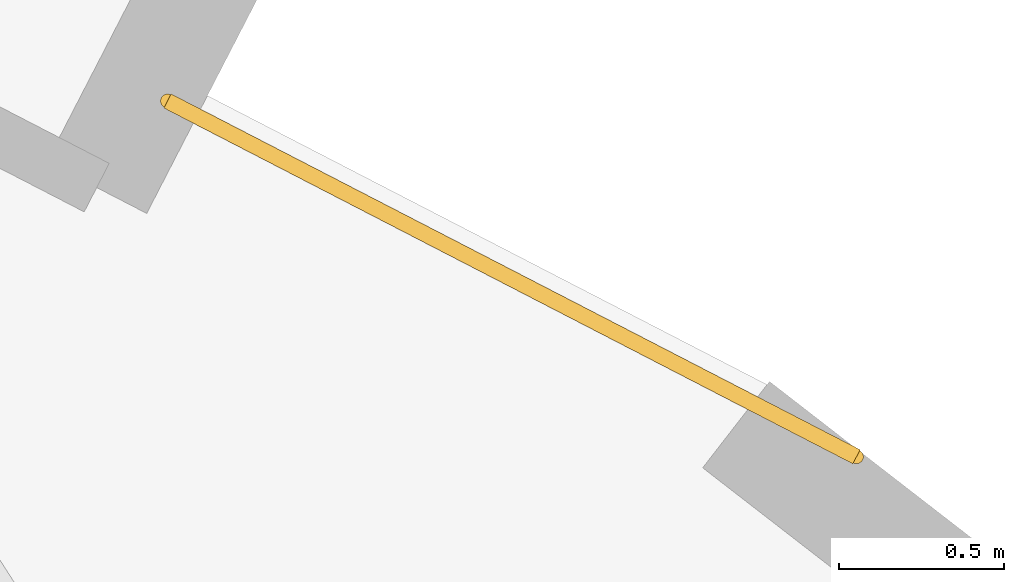
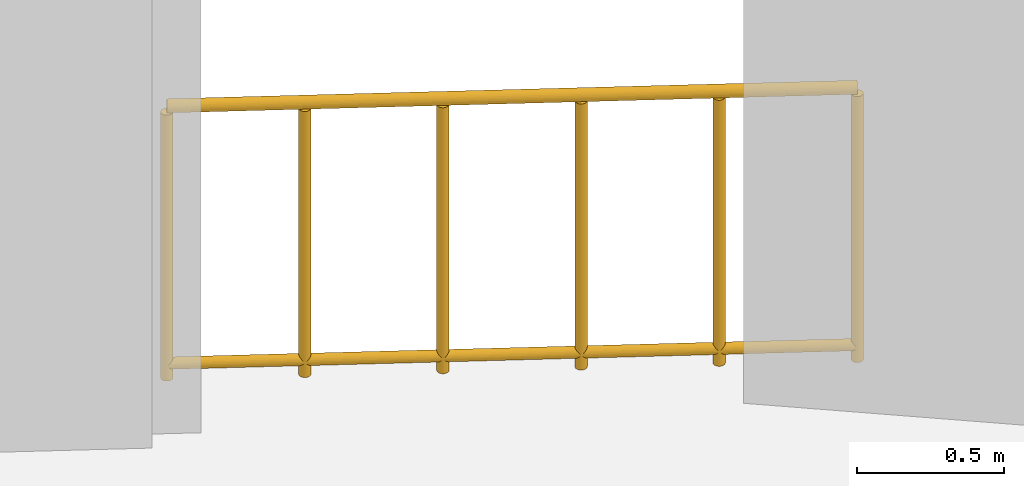
# One storey, part 10 of 10: 1 railing.
"""IFC4 building model written with IfcOpenShell, lengths in metres."""

from ifc_helpers import new_model, si_unit, direction, frame, origin, origin_2d, place, context, subcontext, project, spatial, circle, extrude, material, type_object, element, save


model = new_model("IFC4")

# Units and contexts
model_context = context("Model", 3, precision=1e-05, world=origin(), true_north=direction((0.0, 1.0)))
body_context = subcontext(model_context, "Body", "Model", "MODEL_VIEW")
ifc_project = project(units=[si_unit("LENGTHUNIT", "METRE"), si_unit("AREAUNIT", "SQUARE_METRE"), si_unit("VOLUMEUNIT", "CUBIC_METRE"), si_unit("PLANEANGLEUNIT", "RADIAN"), si_unit("MASSUNIT", "GRAM", prefix="KILO"), si_unit("THERMODYNAMICTEMPERATUREUNIT", "KELVIN"), si_unit("POWERUNIT", "WATT")], contexts=[model_context])

# Site, building, storey
site_placement = place(None, origin())
site = spatial("IfcSite", under=ifc_project, at=site_placement, CompositionType="ELEMENT")
building_placement = place(site_placement, origin())
building = spatial("IfcBuilding", under=site, at=building_placement, Name="Skarre Station Tower", CompositionType="ELEMENT")
storey_placement = place(building_placement, frame((0.0, 0.0, 111.89990234375)))
storey = spatial("IfcBuildingStorey", under=building, at=storey_placement, Name="L29", CompositionType="ELEMENT", Elevation=111.89990234375)

# Railing
ifc_material = material(Name="Stainless Steel Grade 316L & Laminated Safety Glass", Category="steel")
railing_type = type_object("IfcRailingType", Name="Laminated Glass & Stainless Terrace Guardrail 1150", PredefinedType="BALUSTRADE", material=ifc_material)
railing_placement = place(storey_placement, frame((53.037109375, 37.029052734375, 0.0)))
element("IfcRailing", 1, at=railing_placement, inside=storey, type_object=railing_type, Name="L29 SB-2 Shoulder Ledge Guardrail 2", PredefinedType="BALUSTRADE", context=body_context, shape_type="SweptSolid", body=[
    extrude(circle(Radius=0.02392578125, at=origin_2d()), frame((0.0, 0.0, 1.1259765625), z_axis=(0.888522104904, -0.458833814248, 0.0), x_axis=(0.458833814248, 0.888522104904, 0.0)), (0.0, 0.0, 1.0), 2.345458984375),
    extrude(circle(Radius=0.02099609375, at=origin_2d()), frame((0.0, 0.0, 0.06005859375), z_axis=(0.888522104904, -0.458833814248, 0.0), x_axis=(0.458833814248, 0.888522104904, 0.0)), (0.0, 0.0, 1.0), 2.345458984375),
    extrude(circle(Radius=0.02099609375, at=origin_2d()), origin(), (0.0, 0.0, 1.0), 1.101806640625),
    extrude(circle(Radius=0.02099609375, at=origin_2d()), frame((0.416748046875, -0.21533203125, 0.0)), (0.0, 0.0, 1.0), 1.101806640625),
    extrude(circle(Radius=0.02099609375, at=origin_2d()), frame((0.83349609375, -0.430419921875, 0.0)), (0.0, 0.0, 1.0), 1.101806640625),
    extrude(circle(Radius=0.02099609375, at=origin_2d()), frame((1.25048828125, -0.645751953125, 0.0)), (0.0, 0.0, 1.0), 1.101806640625),
    extrude(circle(Radius=0.02099609375, at=origin_2d()), frame((1.667236328125, -0.86083984375, 0.0)), (0.0, 0.0, 1.0), 1.101806640625),
    extrude(circle(Radius=0.02099609375, at=origin_2d()), frame((2.083984375, -1.076171875, 0.0)), (0.0, 0.0, 1.0), 1.101806640625),
])

save(model, "model.ifc")
